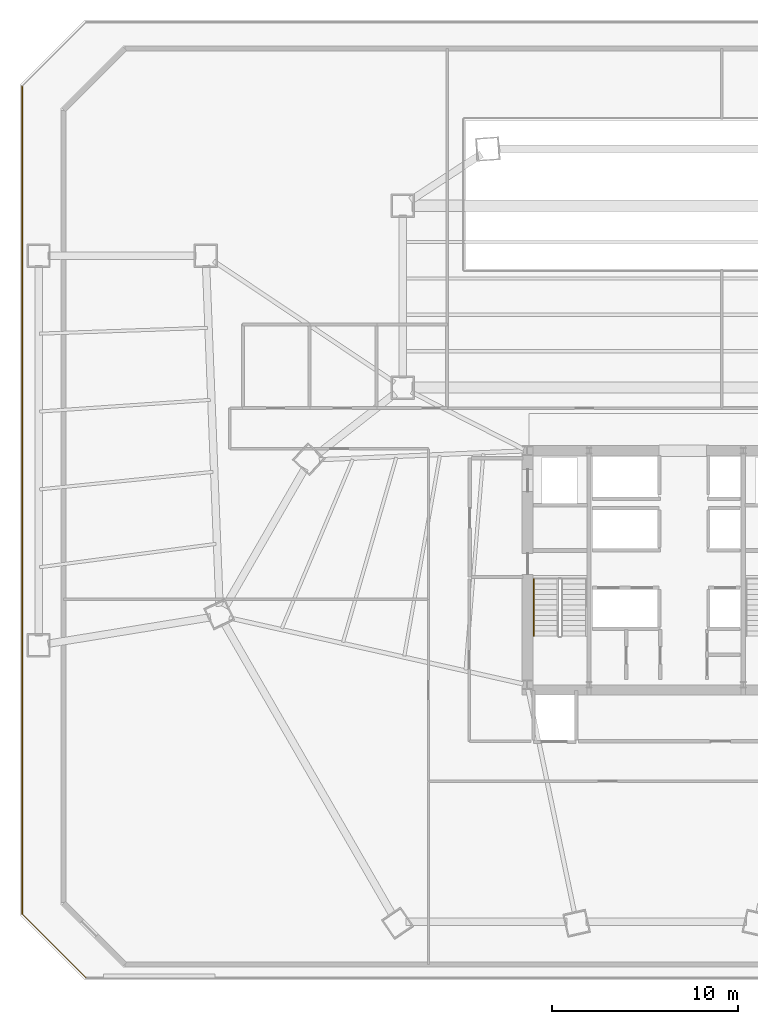
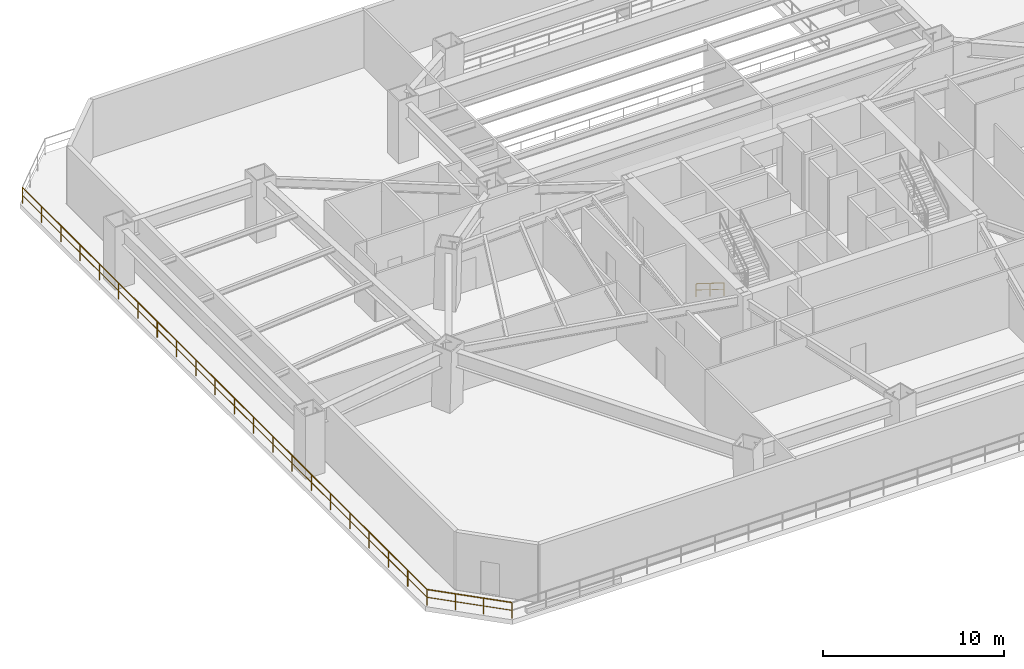
# One storey, part 8 of 12: 3 railings.
"""IFC4 building model written with IfcOpenShell, lengths in metres."""

from ifc_helpers import new_model, si_unit, direction, frame, origin, origin_2d, place, context, subcontext, project, spatial, rectangle, extrude, material, layer, layer_set, type_object, element, save


model = new_model("IFC4")

# Units and contexts
model_context = context("Model", 3, precision=1e-05, world=origin(), true_north=direction((0.0, 1.0)))
body_context = subcontext(model_context, "Body", "Model", "MODEL_VIEW")
ifc_project = project(units=[si_unit("LENGTHUNIT", "METRE"), si_unit("AREAUNIT", "SQUARE_METRE"), si_unit("VOLUMEUNIT", "CUBIC_METRE"), si_unit("PLANEANGLEUNIT", "RADIAN"), si_unit("MASSUNIT", "GRAM", prefix="KILO")], contexts=[model_context])

# Site, building, storey
site_placement = place(None, origin())
site = spatial("IfcSite", under=ifc_project, at=site_placement, CompositionType="ELEMENT")
building_placement = place(site_placement, origin())
building = spatial("IfcBuilding", under=site, at=building_placement, Name="Caelisora Broadcast Tower", CompositionType="ELEMENT")
storey_placement = place(building_placement, frame((0.0, 0.0, 14.699951171875)))
storey = spatial("IfcBuildingStorey", under=building, at=storey_placement, Name="L03", CompositionType="ELEMENT", Elevation=14.699951171875)

# Railings
ifc_material_1 = material(Name="Laminated Glass and Stainless Steel Terrace Balustrade", Category="steel")
ifc_layer_1 = layer(ifc_material_1, 0.048095703125, Name="Laminated Glass and Stainless Steel Terrace Balustrade")
ifc_layer_set_1 = layer_set([ifc_layer_1], Name="Laminated Glass and Stainless Steel Terrace Balustrade")
railing_type_1 = type_object("IfcRailingType", Name="BL-1", PredefinedType="BALUSTRADE", material=ifc_layer_set_1)
railing_1_placement = place(storey_placement, frame((6.75, 1.6201171875, 0.0)))
element("IfcRailing", 1, at=railing_1_placement, inside=storey, type_object=railing_type_1, Name="L03 balustrade BL-1 #01", PredefinedType="BALUSTRADE", context=body_context, shape_type="SweptSolid", body=[
    extrude(rectangle(XDim=0.048095703125, YDim=0.048095703125, at=origin_2d()), frame((0.0, 0.0, 1.076171875), z_axis=(-0.707106781187, 0.707106781187, 0.0), x_axis=(-0.707106781187, -0.707106781187, 0.0)), (0.0, 0.0, 1.0), 4.8505859375),
    extrude(rectangle(XDim=0.03125, YDim=0.03125, at=origin_2d()), frame((0.0, 0.0, 0.550048828125), z_axis=(-0.707106781187, 0.707106781187, 0.0), x_axis=(-0.707106781187, -0.707106781187, 0.0)), (0.0, 0.0, 1.0), 4.8505859375),
    extrude(rectangle(XDim=0.0419921875, YDim=0.0419921875, at=origin_2d()), origin(), (0.0, 0.0, 1.0), 1.052001953125),
    extrude(rectangle(XDim=0.0419921875, YDim=0.0419921875, at=origin_2d()), frame((-1.143310546875, 1.143310546875, 0.0)), (0.0, 0.0, 1.0), 1.052001953125),
    extrude(rectangle(XDim=0.0419921875, YDim=0.0419921875, at=origin_2d()), frame((-2.28662109375, 2.28662109375, 0.0)), (0.0, 0.0, 1.0), 1.052001953125),
    extrude(rectangle(XDim=0.0419921875, YDim=0.0419921875, at=origin_2d()), frame((-3.429931640625, 3.429931640625, 0.0)), (0.0, 0.0, 1.0), 1.052001953125),
])
railing_2_placement = place(storey_placement, frame((3.320068359375, 5.050048828125, 0.0)))
element("IfcRailing", 2, at=railing_2_placement, inside=storey, type_object=railing_type_1, Name="L03 balustrade BL-1 #02", PredefinedType="BALUSTRADE", context=body_context, shape_type="SweptSolid", body=[
    extrude(rectangle(XDim=0.048095703125, YDim=0.048095703125, at=origin_2d()), frame((0.0, 0.0, 1.076171875), z_axis=(0.0, 1.0, 0.0), x_axis=(-1.0, 0.0, 0.0)), (0.0, 0.0, 1.0), 44.599853515625),
    extrude(rectangle(XDim=0.03125, YDim=0.03125, at=origin_2d()), frame((0.0, 0.0, 0.550048828125), z_axis=(0.0, 1.0, 0.0), x_axis=(-1.0, 0.0, 0.0)), (0.0, 0.0, 1.0), 44.599853515625),
    extrude(rectangle(XDim=0.0419921875, YDim=0.0419921875, at=origin_2d()), origin(), (0.0, 0.0, 1.0), 1.052001953125),
    extrude(rectangle(XDim=0.0419921875, YDim=0.0419921875, at=origin_2d()), frame((0.0, 2.123779296875, 0.0)), (0.0, 0.0, 1.0), 1.052001953125),
    extrude(rectangle(XDim=0.0419921875, YDim=0.0419921875, at=origin_2d()), frame((0.0, 4.24755859375, 0.0)), (0.0, 0.0, 1.0), 1.052001953125),
    extrude(rectangle(XDim=0.0419921875, YDim=0.0419921875, at=origin_2d()), frame((0.0, 6.371337890625, 0.0)), (0.0, 0.0, 1.0), 1.052001953125),
    extrude(rectangle(XDim=0.0419921875, YDim=0.0419921875, at=origin_2d()), frame((0.0, 8.4951171875, 0.0)), (0.0, 0.0, 1.0), 1.052001953125),
    extrude(rectangle(XDim=0.0419921875, YDim=0.0419921875, at=origin_2d()), frame((0.0, 10.618896484375, 0.0)), (0.0, 0.0, 1.0), 1.052001953125),
    extrude(rectangle(XDim=0.0419921875, YDim=0.0419921875, at=origin_2d()), frame((0.0, 12.742919921875, 0.0)), (0.0, 0.0, 1.0), 1.052001953125),
    extrude(rectangle(XDim=0.0419921875, YDim=0.0419921875, at=origin_2d()), frame((0.0, 14.86669921875, 0.0)), (0.0, 0.0, 1.0), 1.052001953125),
    extrude(rectangle(XDim=0.0419921875, YDim=0.0419921875, at=origin_2d()), frame((0.0, 16.990478515625, 0.0)), (0.0, 0.0, 1.0), 1.052001953125),
    extrude(rectangle(XDim=0.0419921875, YDim=0.0419921875, at=origin_2d()), frame((0.0, 19.1142578125, 0.0)), (0.0, 0.0, 1.0), 1.052001953125),
    extrude(rectangle(XDim=0.0419921875, YDim=0.0419921875, at=origin_2d()), frame((0.0, 21.238037109375, 0.0)), (0.0, 0.0, 1.0), 1.052001953125),
    extrude(rectangle(XDim=0.0419921875, YDim=0.0419921875, at=origin_2d()), frame((0.0, 23.36181640625, 0.0)), (0.0, 0.0, 1.0), 1.052001953125),
    extrude(rectangle(XDim=0.0419921875, YDim=0.0419921875, at=origin_2d()), frame((0.0, 25.485595703125, 0.0)), (0.0, 0.0, 1.0), 1.052001953125),
    extrude(rectangle(XDim=0.0419921875, YDim=0.0419921875, at=origin_2d()), frame((0.0, 27.609375, 0.0)), (0.0, 0.0, 1.0), 1.052001953125),
    extrude(rectangle(XDim=0.0419921875, YDim=0.0419921875, at=origin_2d()), frame((0.0, 29.733154296875, 0.0)), (0.0, 0.0, 1.0), 1.052001953125),
    extrude(rectangle(XDim=0.0419921875, YDim=0.0419921875, at=origin_2d()), frame((0.0, 31.85693359375, 0.0)), (0.0, 0.0, 1.0), 1.052001953125),
    extrude(rectangle(XDim=0.0419921875, YDim=0.0419921875, at=origin_2d()), frame((0.0, 33.98095703125, 0.0)), (0.0, 0.0, 1.0), 1.052001953125),
    extrude(rectangle(XDim=0.0419921875, YDim=0.0419921875, at=origin_2d()), frame((0.0, 36.104736328125, 0.0)), (0.0, 0.0, 1.0), 1.052001953125),
    extrude(rectangle(XDim=0.0419921875, YDim=0.0419921875, at=origin_2d()), frame((0.0, 38.228515625, 0.0)), (0.0, 0.0, 1.0), 1.052001953125),
    extrude(rectangle(XDim=0.0419921875, YDim=0.0419921875, at=origin_2d()), frame((0.0, 40.352294921875, 0.0)), (0.0, 0.0, 1.0), 1.052001953125),
    extrude(rectangle(XDim=0.0419921875, YDim=0.0419921875, at=origin_2d()), frame((0.0, 42.47607421875, 0.0)), (0.0, 0.0, 1.0), 1.052001953125),
    extrude(rectangle(XDim=0.0419921875, YDim=0.0419921875, at=origin_2d()), frame((0.0, 44.599853515625, 0.0)), (0.0, 0.0, 1.0), 1.052001953125),
])
ifc_material_2 = material(Name="Stainless Steel Grade 316 Tubular Handrail", Category="steel")
ifc_layer_2 = layer(ifc_material_2, 0.048095703125, Name="Stainless Steel Grade 316 Tubular Handrail")
ifc_layer_set_2 = layer_set([ifc_layer_2], Name="Stainless Steel Grade 316 Tubular Handrail")
railing_type_2 = type_object("IfcRailingType", Name="HR-1", PredefinedType="HANDRAIL", material=ifc_layer_set_2)
railing_3_placement = place(storey_placement, frame((30.8701171875, 23.10009765625, 0.175048828125)))
element("IfcRailing", 3, at=railing_3_placement, inside=storey, type_object=railing_type_2, Name="L03 ST-1 stair handrail 1", PredefinedType="HANDRAIL", context=body_context, shape_type="SweptSolid", body=[
    extrude(rectangle(XDim=0.048095703125, YDim=0.048095703125, at=origin_2d()), frame((0.0, 0.0, 0.8759765625), z_axis=(0.0, -0.847998304005, 0.529998940003), x_axis=(1.0, 0.0, 0.0)), (0.0, 0.0, 1.0), 3.632080078125),
    extrude(rectangle(XDim=0.03125, YDim=0.03125, at=origin_2d()), frame((0.0, 0.0, 0.449951171875), z_axis=(0.0, -0.847998304005, 0.529998940003), x_axis=(1.0, 0.0, 0.0)), (0.0, 0.0, 1.0), 3.632080078125),
    extrude(rectangle(XDim=0.0419921875, YDim=0.0419921875, at=origin_2d()), origin(), (0.0, 0.0, 1.0), 0.851806640625),
    extrude(rectangle(XDim=0.0419921875, YDim=0.0419921875, at=origin_2d()), frame((0.0, -1.5400390625, 0.96240234375)), (0.0, 0.0, 1.0), 0.851806640625),
    extrude(rectangle(XDim=0.0419921875, YDim=0.0419921875, at=origin_2d()), frame((0.0, -3.080078125, 1.925048828125)), (0.0, 0.0, 1.0), 0.851806640625),
])

save(model, "model.ifc")
